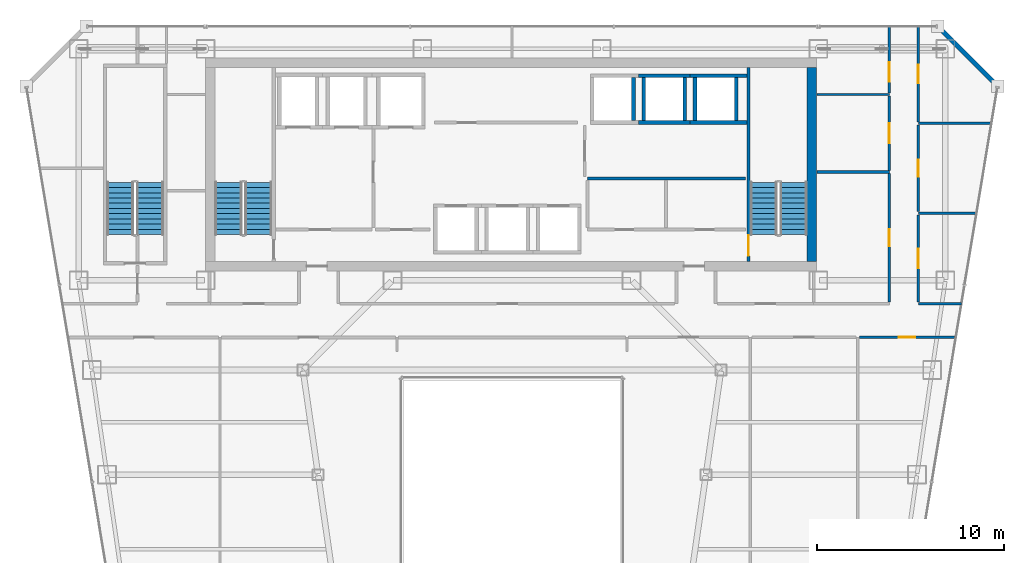
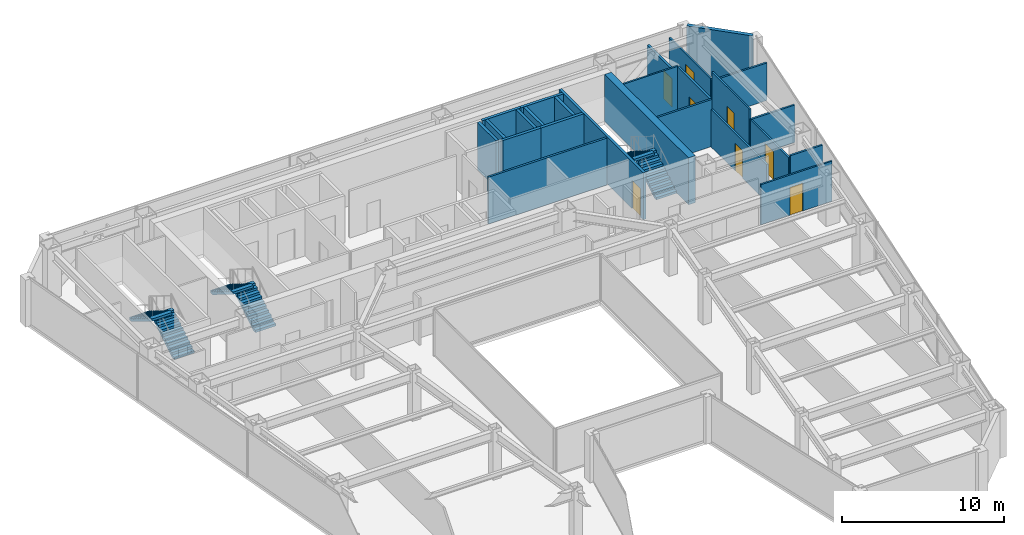
# One storey, part 33 of 36: 25 walls, 8 doors, 6 stair flights, 8 openings, 3 elements without a shape of their own.
"""IFC4 building model written with IfcOpenShell, lengths in metres."""

from ifc_helpers import new_model, si_unit, direction, frame, frame_2d, origin, place, context, subcontext, project, spatial, polyline, rectangle, outline, extrude, material, layer, layer_set, type_object, element, fill, aggregate, save


model = new_model("IFC4")

# Units and contexts
model_context = context("Model", 3, precision=1e-05, world=origin(), true_north=direction((0.0, 1.0)))
body_context = subcontext(model_context, "Body", "Model", "MODEL_VIEW")
ifc_project = project(units=[si_unit("LENGTHUNIT", "METRE"), si_unit("AREAUNIT", "SQUARE_METRE"), si_unit("VOLUMEUNIT", "CUBIC_METRE"), si_unit("PLANEANGLEUNIT", "RADIAN"), si_unit("MASSUNIT", "GRAM", prefix="KILO")], contexts=[model_context])

# Site, building, storey
site_placement = place(None, origin())
site = spatial("IfcSite", under=ifc_project, at=site_placement, CompositionType="ELEMENT")
building_placement = place(site_placement, origin())
building = spatial("IfcBuilding", under=site, at=building_placement, Name="Saevonmaru Cultural Tower", CompositionType="ELEMENT")
storey_placement = place(building_placement, frame((0.0, 0.0, 156.199951171875)))
storey = spatial("IfcBuildingStorey", under=building, at=storey_placement, Name="L34", CompositionType="ELEMENT", Elevation=156.199951171875)

# Walls
ifc_material_1 = material(Name="Concrete C60/75", Category="concrete")
ifc_layer_1 = layer(ifc_material_1, 0.5, Name="Concrete C60/75")
ifc_layer_set_1 = layer_set([ifc_layer_1], Name="Concrete C60/75")
wall_type_1 = type_object("IfcWallType", Name="WL-CORE-500", PredefinedType="SHEAR", material=ifc_layer_set_1)
wall_1_placement = place(storey_placement, frame((46.050048828125, 43.39990234375, 0.0), z_axis=(0.0, 0.0, 1.0), x_axis=(0.0, 1.0, 0.0)))
element("IfcWall", 1, at=wall_1_placement, inside=storey, type_object=wall_type_1, Name="L34 Tower RC core shear wall E", PredefinedType="SHEAR", context=body_context, shape_type="SweptSolid", body=[
    extrude(rectangle(XDim=10.400146484375, YDim=0.5, at=frame_2d((5.2001953125, 0.0))), origin(), (0.0, 0.0, 1.0), 3.550048828125),
])
ifc_material_2 = material(Name="Gypsum Fireboard Partition", Category="gypsum")
ifc_layer_2 = layer(ifc_material_2, 0.14990234375, Name="Gypsum Fireboard Partition")
ifc_layer_set_2 = layer_set([ifc_layer_2], Name="Gypsum Fireboard Partition")
wall_type_2 = type_object("IfcWallType", Name="WL-CORE-PART-150", PredefinedType="PARTITIONING", material=ifc_layer_set_2)
wall_2_placement = place(storey_placement, frame((34.050048828125, 47.85009765625, 0.0), z_axis=(0.0, 0.0, 1.0), x_axis=(1.0, 0.0, 0.0)))
element("IfcWall", 2, at=wall_2_placement, inside=storey, type_object=wall_type_2, Name="L34 Core Plant North Wall", PredefinedType="PARTITIONING", context=body_context, shape_type="SweptSolid", body=[
    extrude(rectangle(XDim=8.449951171875, YDim=0.14990234375, at=frame_2d((4.22509765625, 0.0))), origin(), (0.0, 0.0, 1.0), 3.550048828125),
])
ifc_material_3 = material(Name="Granite-Clad Precast Concrete C40/50", Category="masonry")
ifc_layer_3 = layer(ifc_material_3, 0.260009765625, Name="Granite-Clad Precast Concrete C40/50")
ifc_layer_set_3 = layer_set([ifc_layer_3], Name="Granite-Clad Precast Concrete C40/50")
wall_type_3 = type_object("IfcWallType", Name="WL-EXT-SPANDREL-260", PredefinedType="STANDARD", material=ifc_layer_set_3)
wall_3_placement = place(storey_placement, frame((55.886962890625, 52.9130859375, 0.0), z_axis=(0.0, 0.0, 1.0), x_axis=(-0.707106781187, 0.707106781187, 0.0)))
element("IfcWall", 3, at=wall_3_placement, inside=storey, type_object=wall_type_3, Name="L34 Chamfer Corner Spandrel Wall E9", PredefinedType="STANDARD", context=body_context, shape_type="SweptSolid", body=[
    extrude(rectangle(XDim=4.205810546875, YDim=0.260009765625, at=frame_2d((2.10302734375, 0.0))), origin(), (0.0, 0.0, 1.0), 3.550048828125),
])

# Wall, opening, door
ifc_layer_4 = layer(ifc_material_2, 0.14990234375, Name="Gypsum Fireboard Partition")
ifc_layer_set_4 = layer_set([ifc_layer_4], Name="Gypsum Fireboard Partition")
wall_type_4 = type_object("IfcWallType", Name="WL-PART-FIRE-150", PredefinedType="PARTITIONING", material=ifc_layer_set_4)
wall_4_placement = place(storey_placement, frame((50.199951171875, 48.2900390625, 0.0), z_axis=(0.0, 0.0, 1.0), x_axis=(0.0, 1.0, 0.0)))
wall_4 = element("IfcWall", 4, at=wall_4_placement, inside=storey, type_object=wall_type_4, Name="L34 Sky Observatory Gallery Corridor Wall", PredefinedType="PARTITIONING", context=body_context, shape_type="SweptSolid", body=[
    extrude(rectangle(XDim=3.97998046875, YDim=0.14990234375, at=frame_2d((1.989990234375, 0.0))), origin(), (0.0, 0.0, 1.0), 3.550048828125),
])
opening_1_placement = place(wall_4_placement, frame((1.465087890625, 0.0, 0.0)))
opening_1 = element("IfcOpeningElement", 5, at=opening_1_placement, cuts=wall_4, Name="Opening ID-1", PredefinedType="OPENING", context=body_context, shape_type="SweptSolid", body=[
    extrude(rectangle(XDim=1.050048828125, YDim=2.14990234375, at=frame_2d((0.52490234375, 1.074951171875))), frame((0.0, 0.0849609375, 0.0), z_axis=(0.0, -1.0, 0.0), x_axis=(1.0, 0.0, 0.0)), (0.0, 0.0, 1.0), 0.169921875),
])
ifc_material_4 = material(Name="Satin Bronze Anodised Aluminium", Category="aluminium")
door_type_1 = type_object("IfcDoorType", Name="DR-INT-1050", OperationType="SINGLE_SWING_LEFT", PredefinedType="DOOR", material=ifc_material_4)
door_1_placement = place(opening_1_placement, origin())
door_1 = element("IfcDoor", 6, at=door_1_placement, inside=storey, type_object=door_type_1, Name="L34 Sky Observatory Gallery Door", OperationType="SINGLE_SWING_LEFT", OverallHeight=2.14990234375, OverallWidth=1.050048828125, PredefinedType="DOOR", context=body_context, shape_type="SweptSolid", body=[
    extrude(rectangle(XDim=1.050048828125, YDim=2.14990234375, at=frame_2d((0.52490234375, 1.074951171875))), frame((0.0, 0.02490234375, 0.0), z_axis=(0.0, -1.0, 0.0), x_axis=(1.0, 0.0, 0.0)), (0.0, 0.0, 1.0), 0.050048828125),
])
fill(opening_1, door_1)

wall_5_placement = place(storey_placement, frame((50.199951171875, 52.429931640625, 0.0), z_axis=(0.0, 0.0, 1.0), x_axis=(0.0, 1.0, 0.0)))
wall_5 = element("IfcWall", 7, at=wall_5_placement, inside=storey, type_object=wall_type_4, Name="L34 Skyline Exhibition Gallery Corridor Wall", PredefinedType="PARTITIONING", context=body_context, shape_type="SweptSolid", body=[
    extrude(rectangle(XDim=3.565185546875, YDim=0.14990234375, at=frame_2d((1.78271484375, 0.0))), origin(), (0.0, 0.0, 1.0), 2.93505859375),
])
opening_2_placement = place(wall_5_placement, frame((0.596923828125, 0.0, 0.0)))
opening_2 = element("IfcOpeningElement", 8, at=opening_2_placement, cuts=wall_5, Name="Opening ID-1", PredefinedType="OPENING", context=body_context, shape_type="SweptSolid", body=[
    extrude(rectangle(XDim=1.050048828125, YDim=2.14990234375, at=frame_2d((0.52490234375, 1.074951171875))), frame((0.0, 0.0849609375, 0.0), z_axis=(0.0, -1.0, 0.0), x_axis=(1.0, 0.0, 0.0)), (0.0, 0.0, 1.0), 0.169921875),
])
door_2_placement = place(opening_2_placement, origin())
door_2 = element("IfcDoor", 9, at=door_2_placement, inside=storey, type_object=door_type_1, Name="L34 Skyline Exhibition Gallery Door", OperationType="SINGLE_SWING_RIGHT", OverallHeight=2.14990234375, OverallWidth=1.050048828125, PredefinedType="DOOR", context=body_context, shape_type="SweptSolid", body=[
    extrude(rectangle(XDim=1.050048828125, YDim=2.14990234375, at=frame_2d((0.52490234375, 1.074951171875))), frame((0.0, 0.02490234375, 0.0), z_axis=(0.0, -1.0, 0.0), x_axis=(1.0, 0.0, 0.0)), (0.0, 0.0, 1.0), 0.050048828125),
])
fill(opening_2, door_2)

# Wall
ifc_layer_5 = layer(ifc_material_2, 0.1201171875, Name="Gypsum Fireboard Partition")
ifc_layer_set_5 = layer_set([ifc_layer_5], Name="Gypsum Fireboard Partition")
wall_type_5 = type_object("IfcWallType", Name="WL-PART-GYP-120", PredefinedType="PARTITIONING", material=ifc_layer_set_5)
wall_6_placement = place(storey_placement, frame((46.320068359375, 52.35009765625, 0.0), z_axis=(0.0, 0.0, 1.0), x_axis=(1.0, 0.0, 0.0)))
element("IfcWall", 10, at=wall_6_placement, inside=storey, type_object=wall_type_5, Name="L34 North-East Panorama South Wall", PredefinedType="PARTITIONING", context=body_context, shape_type="SweptSolid", body=[
    extrude(rectangle(XDim=3.8798828125, YDim=0.1201171875, at=frame_2d((1.93994140625, 0.0))), origin(), (0.0, 0.0, 1.0), 3.550048828125),
])

# Wall, opening, door
wall_7_placement = place(storey_placement, frame((51.75, 41.237548828125, 0.0), z_axis=(0.0, 0.0, 1.0), x_axis=(0.0, 1.0, 0.0)))
wall_7 = element("IfcWall", 11, at=wall_7_placement, inside=storey, type_object=wall_type_5, Name="L34 Periodical Reading Room Corridor Wall", PredefinedType="PARTITIONING", context=body_context, shape_type="SweptSolid", body=[
    extrude(rectangle(XDim=4.675048828125, YDim=0.1201171875, at=frame_2d((2.33740234375, 0.0))), origin(), (0.0, 0.0, 1.0), 2.8349609375),
])
opening_3_placement = place(wall_7_placement, frame((1.81298828125, 0.0, 0.0)))
opening_3 = element("IfcOpeningElement", 12, at=opening_3_placement, cuts=wall_7, Name="Opening ID-1", PredefinedType="OPENING", context=body_context, shape_type="SweptSolid", body=[
    extrude(rectangle(XDim=1.050048828125, YDim=2.14990234375, at=frame_2d((0.52490234375, 1.074951171875))), frame((0.0, 0.070068359375, 0.0), z_axis=(0.0, -1.0, 0.0), x_axis=(1.0, 0.0, 0.0)), (0.0, 0.0, 1.0), 0.14013671875),
])
door_3_placement = place(opening_3_placement, origin())
door_3 = element("IfcDoor", 13, at=door_3_placement, inside=storey, type_object=door_type_1, Name="L34 Periodical Reading Room Door", OperationType="SINGLE_SWING_RIGHT", OverallHeight=2.14990234375, OverallWidth=1.050048828125, PredefinedType="DOOR", context=body_context, shape_type="SweptSolid", body=[
    extrude(rectangle(XDim=1.050048828125, YDim=2.14990234375, at=frame_2d((0.52490234375, 1.074951171875))), frame((0.0, 0.02490234375, 0.0), z_axis=(0.0, -1.0, 0.0), x_axis=(1.0, 0.0, 0.0)), (0.0, 0.0, 1.0), 0.050048828125),
])
fill(opening_3, door_3)

wall_8_placement = place(storey_placement, frame((51.75, 46.08740234375, 0.0), z_axis=(0.0, 0.0, 1.0), x_axis=(0.0, 1.0, 0.0)))
wall_8 = element("IfcWall", 14, at=wall_8_placement, inside=storey, type_object=wall_type_5, Name="L34 Editorial Fellows Office Corridor Wall", PredefinedType="PARTITIONING", context=body_context, shape_type="SweptSolid", body=[
    extrude(rectangle(XDim=4.625, YDim=0.1201171875, at=frame_2d((2.3125, 0.0))), origin(), (0.0, 0.0, 1.0), 3.550048828125),
])
opening_4_placement = place(wall_8_placement, frame((1.863037109375, 0.0, 0.0)))
opening_4 = element("IfcOpeningElement", 15, at=opening_4_placement, cuts=wall_8, Name="Opening ID-2", PredefinedType="OPENING", context=body_context, shape_type="SweptSolid", body=[
    extrude(rectangle(XDim=0.89990234375, YDim=2.10009765625, at=frame_2d((0.449951171875, 1.050048828125))), frame((0.0, 0.070068359375, 0.0), z_axis=(0.0, -1.0, 0.0), x_axis=(1.0, 0.0, 0.0)), (0.0, 0.0, 1.0), 0.14013671875),
])
ifc_material_5 = material(Name="Acoustic Stained Oak Timber", Category="wood")
door_type_2 = type_object("IfcDoorType", Name="DR-INT-900", OperationType="SINGLE_SWING_RIGHT", PredefinedType="DOOR", material=ifc_material_5)
door_4_placement = place(opening_4_placement, origin())
door_4 = element("IfcDoor", 16, at=door_4_placement, inside=storey, type_object=door_type_2, Name="L34 Editorial Fellows Office Door", OperationType="SINGLE_SWING_LEFT", OverallHeight=2.10009765625, OverallWidth=0.89990234375, PredefinedType="DOOR", context=body_context, shape_type="SweptSolid", body=[
    extrude(rectangle(XDim=0.89990234375, YDim=2.10009765625, at=frame_2d((0.449951171875, 1.050048828125))), frame((0.0, 0.02490234375, 0.0), z_axis=(0.0, -1.0, 0.0), x_axis=(1.0, 0.0, 0.0)), (0.0, 0.0, 1.0), 0.050048828125),
])
fill(opening_4, door_4)

wall_9_placement = place(storey_placement, frame((51.75, 50.887451171875, 0.0), z_axis=(0.0, 0.0, 1.0), x_axis=(0.0, 1.0, 0.0)))
wall_9 = element("IfcWall", 17, at=wall_9_placement, inside=storey, type_object=wall_type_5, Name="L34 Terrace Overlook Cafe Corridor Wall", PredefinedType="PARTITIONING", context=body_context, shape_type="SweptSolid", body=[
    extrude(rectangle(XDim=5.107666015625, YDim=0.1201171875, at=frame_2d((2.5537109375, 0.0))), origin(), (0.0, 0.0, 1.0), 2.93505859375),
])
opening_5_placement = place(wall_9_placement, frame((2.053955078125, 0.0, 0.0)))
opening_5 = element("IfcOpeningElement", 18, at=opening_5_placement, cuts=wall_9, Name="Opening ID-1B", PredefinedType="OPENING", context=body_context, shape_type="SweptSolid", body=[
    extrude(rectangle(XDim=1.0, YDim=2.14990234375, at=frame_2d((0.5, 1.074951171875))), frame((0.0, 0.070068359375, 0.0), z_axis=(0.0, -1.0, 0.0), x_axis=(1.0, 0.0, 0.0)), (0.0, 0.0, 1.0), 0.14013671875),
])
door_type_3 = type_object("IfcDoorType", Name="DR-INT-1000", OperationType="SINGLE_SWING_RIGHT", PredefinedType="DOOR", material=ifc_material_5)
door_5_placement = place(opening_5_placement, origin())
door_5 = element("IfcDoor", 19, at=door_5_placement, inside=storey, type_object=door_type_3, Name="L34 Terrace Overlook Cafe Door", OperationType="SINGLE_SWING_RIGHT", OverallHeight=2.14990234375, OverallWidth=1.0, PredefinedType="DOOR", context=body_context, shape_type="SweptSolid", body=[
    extrude(rectangle(XDim=1.0, YDim=2.14990234375, at=frame_2d((0.5, 1.074951171875))), frame((0.0, 0.02490234375, 0.0), z_axis=(0.0, -1.0, 0.0), x_axis=(1.0, 0.0, 0.0)), (0.0, 0.0, 1.0), 0.050048828125),
])
fill(opening_5, door_5)

wall_10_placement = place(storey_placement, frame((48.597412109375, 39.35009765625, 0.0), z_axis=(0.0, 0.0, 1.0), x_axis=(1.0, 0.0, 0.0)))
wall_10 = element("IfcWall", 20, at=wall_10_placement, inside=storey, type_object=wall_type_5, Name="L34 Editorial Fellows Office Corridor Wall", PredefinedType="PARTITIONING", context=body_context, shape_type="SweptSolid", body=[
    extrude(rectangle(XDim=5.09765625, YDim=0.1201171875, at=frame_2d((2.548828125, 0.0))), origin(), (0.0, 0.0, 1.0), 3.03515625),
])
opening_6_placement = place(wall_10_placement, frame((2.09912109375, 0.0, 0.0)))
opening_6 = element("IfcOpeningElement", 21, at=opening_6_placement, cuts=wall_10, Name="Opening ID-2", PredefinedType="OPENING", context=body_context, shape_type="SweptSolid", body=[
    extrude(rectangle(XDim=0.89990234375, YDim=2.10009765625, at=frame_2d((0.449951171875, 1.050048828125))), frame((0.0, 0.070068359375, 0.0), z_axis=(0.0, -1.0, 0.0), x_axis=(1.0, 0.0, 0.0)), (0.0, 0.0, 1.0), 0.14013671875),
])
door_6_placement = place(opening_6_placement, origin())
door_6 = element("IfcDoor", 22, at=door_6_placement, inside=storey, type_object=door_type_2, Name="L34 Editorial Fellows Office Door", OperationType="SINGLE_SWING_RIGHT", OverallHeight=2.10009765625, OverallWidth=0.89990234375, PredefinedType="DOOR", context=body_context, shape_type="SweptSolid", body=[
    extrude(rectangle(XDim=0.89990234375, YDim=2.10009765625, at=frame_2d((0.449951171875, 1.050048828125))), frame((0.0, 0.02490234375, 0.0), z_axis=(0.0, -1.0, 0.0), x_axis=(1.0, 0.0, 0.0)), (0.0, 0.0, 1.0), 0.050048828125),
])
fill(opening_6, door_6)

# Walls
ifc_layer_6 = layer(ifc_material_2, 0.135009765625, Name="Gypsum Fireboard Partition")
ifc_layer_set_6 = layer_set([ifc_layer_6], Name="Gypsum Fireboard Partition")
wall_type_6 = type_object("IfcWallType", Name="WL-PART-GYP-135", PredefinedType="PARTITIONING", material=ifc_layer_set_6)
wall_11_placement = place(storey_placement, frame((51.75, 41.14990234375, 0.0), z_axis=(0.0, 0.0, 1.0), x_axis=(1.0, 0.0, 0.0)))
element("IfcWall", 23, at=wall_11_placement, inside=storey, type_object=wall_type_6, Name="L34 NE Wing South Wall", PredefinedType="PARTITIONING", context=body_context, shape_type="SweptSolid", body=[
    extrude(rectangle(XDim=2.30810546875, YDim=0.135009765625, at=frame_2d((1.154052734375, 0.0))), origin(), (0.0, 0.0, 1.0), 3.03515625),
])
wall_12_placement = place(storey_placement, frame((51.75, 46.0, 0.0), z_axis=(0.0, 0.0, 1.0), x_axis=(1.0, 0.0, 0.0)))
element("IfcWall", 24, at=wall_12_placement, inside=storey, type_object=wall_type_6, Name="L34 NE Studio Divider 1", PredefinedType="PARTITIONING", context=body_context, shape_type="SweptSolid", body=[
    extrude(rectangle(XDim=3.114501953125, YDim=0.135009765625, at=frame_2d((1.55712890625, 0.0))), origin(), (0.0, 0.0, 1.0), 2.8349609375),
])
wall_13_placement = place(storey_placement, frame((51.75, 50.800048828125, 0.0), z_axis=(0.0, 0.0, 1.0), x_axis=(1.0, 0.0, 0.0)))
element("IfcWall", 25, at=wall_13_placement, inside=storey, type_object=wall_type_6, Name="L34 NE Studio Divider 2", PredefinedType="PARTITIONING", context=body_context, shape_type="SweptSolid", body=[
    extrude(rectangle(XDim=3.912353515625, YDim=0.135009765625, at=frame_2d((1.9560546875, 0.0))), origin(), (0.0, 0.0, 1.0), 2.8349609375),
])
ifc_layer_7 = layer(ifc_material_2, 0.139892578125, Name="Gypsum Fireboard Partition")
ifc_layer_set_7 = layer_set([ifc_layer_7], Name="Gypsum Fireboard Partition")
wall_type_7 = type_object("IfcWallType", Name="WL-PART-WET-140", PredefinedType="PARTITIONING", material=ifc_layer_set_7)
wall_14_placement = place(storey_placement, frame((46.320068359375, 48.199951171875, 0.0), z_axis=(0.0, 0.0, 1.0), x_axis=(1.0, 0.0, 0.0)))
element("IfcWall", 26, at=wall_14_placement, inside=storey, type_object=wall_type_7, Name="L34 Washroom North Wall", PredefinedType="PARTITIONING", context=body_context, shape_type="SweptSolid", body=[
    extrude(rectangle(XDim=3.8798828125, YDim=0.139892578125, at=frame_2d((1.93994140625, 0.0))), origin(), (0.0, 0.0, 1.0), 3.550048828125),
])

# Wall, opening, door
wall_15_placement = place(storey_placement, frame((50.199951171875, 41.239990234375, 0.0), z_axis=(0.0, 0.0, 1.0), x_axis=(0.0, 1.0, 0.0)))
wall_15 = element("IfcWall", 27, at=wall_15_placement, inside=storey, type_object=wall_type_7, Name="L34 Washroom Corridor Wall", PredefinedType="PARTITIONING", context=body_context, shape_type="SweptSolid", body=[
    extrude(rectangle(XDim=6.8701171875, YDim=0.139892578125, at=frame_2d((3.43505859375, 0.0))), origin(), (0.0, 0.0, 1.0), 2.8349609375),
])
opening_7_placement = place(wall_15_placement, frame((2.985107421875, 0.0, 0.0)))
opening_7 = element("IfcOpeningElement", 28, at=opening_7_placement, cuts=wall_15, Name="Opening ID-2", PredefinedType="OPENING", context=body_context, shape_type="SweptSolid", body=[
    extrude(rectangle(XDim=0.89990234375, YDim=2.10009765625, at=frame_2d((0.449951171875, 1.050048828125))), frame((0.0, 0.080078125, 0.0), z_axis=(0.0, -1.0, 0.0), x_axis=(1.0, 0.0, 0.0)), (0.0, 0.0, 1.0), 0.159912109375),
])
door_7_placement = place(opening_7_placement, origin())
door_7 = element("IfcDoor", 29, at=door_7_placement, inside=storey, type_object=door_type_2, Name="L34 Public Accessible Washrooms Door", OperationType="SINGLE_SWING_RIGHT", OverallHeight=2.10009765625, OverallWidth=0.89990234375, PredefinedType="DOOR", context=body_context, shape_type="SweptSolid", body=[
    extrude(rectangle(XDim=0.89990234375, YDim=2.10009765625, at=frame_2d((0.449951171875, 1.050048828125))), frame((0.0, 0.02490234375, 0.0), z_axis=(0.0, -1.0, 0.0), x_axis=(1.0, 0.0, 0.0)), (0.0, 0.0, 1.0), 0.050048828125),
])
fill(opening_7, door_7)

# Walls
ifc_material_6 = material(Name="Concrete C40/50", Category="concrete")
ifc_layer_8 = layer(ifc_material_6, 0.199951171875, Name="Concrete C40/50")
ifc_layer_set_8 = layer_set([ifc_layer_8], Name="Concrete C40/50")
wall_type_8 = type_object("IfcWallType", Name="WL-SHAFT-200", PredefinedType="SHEAR", material=ifc_layer_set_8)
wall_16_placement = place(storey_placement, frame((36.5, 50.949951171875, 0.0), z_axis=(0.0, 0.0, 1.0), x_axis=(0.0, 1.0, 0.0)))
element("IfcWall", 30, at=wall_16_placement, inside=storey, type_object=wall_type_8, Name="L34 Lift PL-H1 Hoistway Wall E", PredefinedType="SHEAR", context=body_context, shape_type="SweptSolid", body=[
    extrude(rectangle(XDim=2.300048828125, YDim=0.199951171875, at=frame_2d((1.14990234375, 0.0))), origin(), (0.0, 0.0, 1.0), 3.550048828125),
])
for number, where, z_axis, x_axis, name in (
    (31, (36.77490234375, 50.85009765625, 0.0), (0.0, 0.0, 1.0), (1.0, 0.0, 0.0), "L34 Lift PL-H2 Hoistway Wall S"),
    (32, (36.77490234375, 53.35009765625, 0.0), (0.0, 0.0, 1.0), (1.0, 0.0, 0.0), "L34 Lift PL-H2 Hoistway Wall N"),
):
    element("IfcWall", number, at=place(storey_placement, frame(where, z_axis=z_axis, x_axis=x_axis)), inside=storey, type_object=wall_type_8, Name=name, PredefinedType="SHEAR", context=body_context, shape_type="SweptSolid", body=[
        extrude(rectangle(XDim=2.75, YDim=0.199951171875, at=frame_2d((1.375, 0.0))), origin(), (0.0, 0.0, 1.0), 3.550048828125),
    ])
for number, where, z_axis, x_axis, name in (
    (33, (37.050048828125, 50.949951171875, 0.0), (0.0, 0.0, 1.0), (0.0, 1.0, 0.0), "L34 Lift PL-H2 Hoistway Wall W"),
    (34, (39.25, 50.949951171875, 0.0), (0.0, 0.0, 1.0), (0.0, 1.0, 0.0), "L34 Lift PL-H2 Hoistway Wall E"),
):
    element("IfcWall", number, at=place(storey_placement, frame(where, z_axis=z_axis, x_axis=x_axis)), inside=storey, type_object=wall_type_8, Name=name, PredefinedType="SHEAR", context=body_context, shape_type="SweptSolid", body=[
        extrude(rectangle(XDim=2.300048828125, YDim=0.199951171875, at=frame_2d((1.14990234375, 0.0))), origin(), (0.0, 0.0, 1.0), 3.550048828125),
    ])
for number, where, z_axis, x_axis, name in (
    (35, (39.52490234375, 50.85009765625, 0.0), (0.0, 0.0, 1.0), (1.0, 0.0, 0.0), "L34 Lift PL-H3 Hoistway Wall S"),
    (36, (39.52490234375, 53.35009765625, 0.0), (0.0, 0.0, 1.0), (1.0, 0.0, 0.0), "L34 Lift PL-H3 Hoistway Wall N"),
):
    element("IfcWall", number, at=place(storey_placement, frame(where, z_axis=z_axis, x_axis=x_axis)), inside=storey, type_object=wall_type_8, Name=name, PredefinedType="SHEAR", context=body_context, shape_type="SweptSolid", body=[
        extrude(rectangle(XDim=3.045166015625, YDim=0.199951171875, at=frame_2d((1.5224609375, 0.0))), origin(), (0.0, 0.0, 1.0), 3.550048828125),
    ])
for number, where, z_axis, x_axis, name in (
    (37, (39.800048828125, 50.949951171875, 0.0), (0.0, 0.0, 1.0), (0.0, 1.0, 0.0), "L34 Lift PL-H3 Hoistway Wall W"),
    (38, (42.0, 50.949951171875, 0.0), (0.0, 0.0, 1.0), (0.0, 1.0, 0.0), "L34 Lift PL-H3 Hoistway Wall E"),
):
    element("IfcWall", number, at=place(storey_placement, frame(where, z_axis=z_axis, x_axis=x_axis)), inside=storey, type_object=wall_type_8, Name=name, PredefinedType="SHEAR", context=body_context, shape_type="SweptSolid", body=[
        extrude(rectangle(XDim=2.300048828125, YDim=0.199951171875, at=frame_2d((1.14990234375, 0.0))), origin(), (0.0, 0.0, 1.0), 3.550048828125),
    ])

# Wall, opening, door
ifc_layer_9 = layer(ifc_material_6, 0.179931640625, Name="Concrete C40/50")
ifc_layer_set_9 = layer_set([ifc_layer_9], Name="Concrete C40/50")
wall_type_9 = type_object("IfcWallType", Name="WL-STSHAFT-180", PredefinedType="SHEAR", material=ifc_layer_set_9)
wall_17_placement = place(storey_placement, frame((42.659912109375, 53.800048828125, 0.0), z_axis=(0.0, 0.0, 1.0), x_axis=(0.0, -1.0, 0.0)))
wall_17 = element("IfcWall", 39, at=wall_17_placement, inside=storey, type_object=wall_type_9, Name="L34 Stair ST-2 Structural Shaft Wall 1", PredefinedType="SHEAR", context=body_context, shape_type="SweptSolid", body=[
    extrude(rectangle(XDim=10.400146484375, YDim=0.179931640625, at=frame_2d((5.2001953125, 0.0))), origin(), (0.0, 0.0, 1.0), 3.550048828125),
])
opening_8_placement = place(wall_17_placement, frame((8.989990234375, 0.0, 0.0)))
opening_8 = element("IfcOpeningElement", 40, at=opening_8_placement, cuts=wall_17, Name="Opening FD-2", PredefinedType="OPENING", context=body_context, shape_type="SweptSolid", body=[
    extrude(rectangle(XDim=1.10009765625, YDim=2.14990234375, at=frame_2d((0.550048828125, 1.074951171875))), frame((0.0, 0.10009765625, 0.0), z_axis=(0.0, -1.0, 0.0), x_axis=(1.0, 0.0, 0.0)), (0.0, 0.0, 1.0), 0.199951171875),
])
door_type_4 = type_object("IfcDoorType", Name="DR-FD60-1100", OperationType="SINGLE_SWING_LEFT", PredefinedType="DOOR", material=ifc_material_4)
door_8_placement = place(opening_8_placement, origin())
door_8 = element("IfcDoor", 41, at=door_8_placement, inside=storey, type_object=door_type_4, Name="L34 Protected Stair ST-2 Fire Door", OperationType="SINGLE_SWING_LEFT", OverallHeight=2.14990234375, OverallWidth=1.10009765625, PredefinedType="DOOR", context=body_context, shape_type="SweptSolid", body=[
    extrude(rectangle(XDim=1.10009765625, YDim=2.14990234375, at=frame_2d((0.550048828125, 1.074951171875))), frame((0.0, 0.02490234375, 0.0), z_axis=(0.0, -1.0, 0.0), x_axis=(1.0, 0.0, 0.0)), (0.0, 0.0, 1.0), 0.050048828125),
])
fill(opening_8, door_8)

# Stair, stair flights
stair_type = type_object("IfcStairType", Name="STR-DOGLEG-RC", PredefinedType="HALF_TURN_STAIR", material=ifc_material_6)
stair_1_placement = place(storey_placement, origin())
stair_1 = element("IfcStair", 42, at=stair_1_placement, inside=storey, type_object=stair_type, Name="L34 Protected exit stair ST-1", PredefinedType="HALF_TURN_STAIR")
ifc_material_7 = material(Name="Precast concrete C40/50", Category="concrete")
stair_flight_type = type_object("IfcStairFlightType", Name="STF-PRECAST-180", PredefinedType="STRAIGHT", material=ifc_material_7)
stair_flight_1_placement = place(storey_placement, frame((16.425048828125, 44.85009765625, 0.0), z_axis=(0.0, 0.0, 1.0), x_axis=(0.0, 1.0, 0.0)))
stair_flight_1 = element("IfcStairFlight", 43, at=stair_flight_1_placement, type_object=stair_flight_type, Name="ST-1-L34 flight 1", NumberOfRisers=11, NumberOfTreads=10, PredefinedType="STRAIGHT", RiserHeight=0.172727273, TreadLength=0.28, context=body_context, shape_type="SweptSolid", body=[
    extrude(outline(polyline([(0.0, 0.0), (0.0, 0.172607421875), (0.280029296875, 0.172607421875), (0.280029296875, 0.345458984375), (0.56005859375, 0.345458984375), (0.56005859375, 0.51806640625), (0.840087890625, 0.51806640625), (0.840087890625, 0.69091796875), (1.1201171875, 0.69091796875), (1.1201171875, 0.863525390625), (1.39990234375, 0.863525390625), (1.39990234375, 1.036376953125), (1.679931640625, 1.036376953125), (1.679931640625, 1.208984375), (1.9599609375, 1.208984375), (1.9599609375, 1.3818359375), (2.239990234375, 1.3818359375), (2.239990234375, 1.554443359375), (2.52001953125, 1.554443359375), (2.52001953125, 1.727294921875), (2.800048828125, 1.727294921875), (2.800048828125, 1.89990234375), (2.800048828125, 1.551025390625), (0.285400390625, 0.0), (0.0, 0.0)])), frame((0.0, 0.72509765625, 0.0), z_axis=(0.0, -1.0, 0.0), x_axis=(1.0, 0.0, 0.0)), (0.0, 0.0, 1.0), 1.449951171875),
])
stair_flight_2_placement = place(storey_placement, frame((14.824951171875, 47.64990234375, 1.900146484375), z_axis=(0.0, 0.0, 1.0), x_axis=(0.0, -1.0, 0.0)))
stair_flight_2 = element("IfcStairFlight", 44, at=stair_flight_2_placement, type_object=stair_flight_type, Name="ST-1-L34 flight 2", NumberOfRisers=11, NumberOfTreads=10, PredefinedType="STRAIGHT", RiserHeight=0.172727273, TreadLength=0.28, context=body_context, shape_type="SweptSolid", body=[
    extrude(outline(polyline([(0.0, 0.0), (0.0, 0.172607421875), (0.280029296875, 0.172607421875), (0.280029296875, 0.345458984375), (0.56005859375, 0.345458984375), (0.56005859375, 0.51806640625), (0.840087890625, 0.51806640625), (0.840087890625, 0.69091796875), (1.1201171875, 0.69091796875), (1.1201171875, 0.863525390625), (1.39990234375, 0.863525390625), (1.39990234375, 1.036376953125), (1.679931640625, 1.036376953125), (1.679931640625, 1.208984375), (1.9599609375, 1.208984375), (1.9599609375, 1.3818359375), (2.239990234375, 1.3818359375), (2.239990234375, 1.554443359375), (2.52001953125, 1.554443359375), (2.52001953125, 1.727294921875), (2.800048828125, 1.727294921875), (2.800048828125, 1.89990234375), (2.800048828125, 1.551025390625), (0.285400390625, 0.0), (0.0, 0.0)])), frame((0.0, 0.72509765625, 0.0), z_axis=(0.0, -1.0, 0.0), x_axis=(1.0, 0.0, 0.0)), (0.0, 0.0, 1.0), 1.449951171875),
])
aggregate(stair_1, [stair_flight_1, stair_flight_2])

stair_2_placement = place(storey_placement, origin())
stair_2 = element("IfcStair", 45, at=stair_2_placement, inside=storey, type_object=stair_type, Name="L34 Protected exit stair ST-2", PredefinedType="HALF_TURN_STAIR")
stair_flight_3_placement = place(storey_placement, frame((45.074951171875, 44.85009765625, 0.0), z_axis=(0.0, 0.0, 1.0), x_axis=(0.0, 1.0, 0.0)))
stair_flight_3 = element("IfcStairFlight", 46, at=stair_flight_3_placement, type_object=stair_flight_type, Name="ST-2-L34 flight 1", NumberOfRisers=11, NumberOfTreads=10, PredefinedType="STRAIGHT", RiserHeight=0.172727273, TreadLength=0.28, context=body_context, shape_type="SweptSolid", body=[
    extrude(outline(polyline([(0.0, 0.0), (0.0, 0.172607421875), (0.280029296875, 0.172607421875), (0.280029296875, 0.345458984375), (0.56005859375, 0.345458984375), (0.56005859375, 0.51806640625), (0.840087890625, 0.51806640625), (0.840087890625, 0.69091796875), (1.1201171875, 0.69091796875), (1.1201171875, 0.863525390625), (1.39990234375, 0.863525390625), (1.39990234375, 1.036376953125), (1.679931640625, 1.036376953125), (1.679931640625, 1.208984375), (1.9599609375, 1.208984375), (1.9599609375, 1.3818359375), (2.239990234375, 1.3818359375), (2.239990234375, 1.554443359375), (2.52001953125, 1.554443359375), (2.52001953125, 1.727294921875), (2.800048828125, 1.727294921875), (2.800048828125, 1.89990234375), (2.800048828125, 1.551025390625), (0.285400390625, 0.0), (0.0, 0.0)])), frame((0.0, 0.72509765625, 0.0), z_axis=(0.0, -1.0, 0.0), x_axis=(1.0, 0.0, 0.0)), (0.0, 0.0, 1.0), 1.449951171875),
])
stair_flight_4_placement = place(storey_placement, frame((43.47509765625, 47.64990234375, 1.900146484375), z_axis=(0.0, 0.0, 1.0), x_axis=(0.0, -1.0, 0.0)))
stair_flight_4 = element("IfcStairFlight", 47, at=stair_flight_4_placement, type_object=stair_flight_type, Name="ST-2-L34 flight 2", NumberOfRisers=11, NumberOfTreads=10, PredefinedType="STRAIGHT", RiserHeight=0.172727273, TreadLength=0.28, context=body_context, shape_type="SweptSolid", body=[
    extrude(outline(polyline([(0.0, 0.0), (0.0, 0.172607421875), (0.280029296875, 0.172607421875), (0.280029296875, 0.345458984375), (0.56005859375, 0.345458984375), (0.56005859375, 0.51806640625), (0.840087890625, 0.51806640625), (0.840087890625, 0.69091796875), (1.1201171875, 0.69091796875), (1.1201171875, 0.863525390625), (1.39990234375, 0.863525390625), (1.39990234375, 1.036376953125), (1.679931640625, 1.036376953125), (1.679931640625, 1.208984375), (1.9599609375, 1.208984375), (1.9599609375, 1.3818359375), (2.239990234375, 1.3818359375), (2.239990234375, 1.554443359375), (2.52001953125, 1.554443359375), (2.52001953125, 1.727294921875), (2.800048828125, 1.727294921875), (2.800048828125, 1.89990234375), (2.800048828125, 1.551025390625), (0.285400390625, 0.0), (0.0, 0.0)])), frame((0.0, 0.72509765625, 0.0), z_axis=(0.0, -1.0, 0.0), x_axis=(1.0, 0.0, 0.0)), (0.0, 0.0, 1.0), 1.449951171875),
])
aggregate(stair_2, [stair_flight_3, stair_flight_4])

stair_3_placement = place(storey_placement, origin())
stair_3 = element("IfcStair", 48, at=stair_3_placement, inside=storey, type_object=stair_type, Name="L34 Protected exit stair ST-3", PredefinedType="HALF_TURN_STAIR")
stair_flight_5_placement = place(storey_placement, frame((10.625, 44.85009765625, 0.0), z_axis=(0.0, 0.0, 1.0), x_axis=(0.0, 1.0, 0.0)))
stair_flight_5 = element("IfcStairFlight", 49, at=stair_flight_5_placement, type_object=stair_flight_type, Name="ST-3-L34 flight 1", NumberOfRisers=11, NumberOfTreads=10, PredefinedType="STRAIGHT", RiserHeight=0.172727273, TreadLength=0.28, context=body_context, shape_type="SweptSolid", body=[
    extrude(outline(polyline([(0.0, 0.0), (0.0, 0.172607421875), (0.280029296875, 0.172607421875), (0.280029296875, 0.345458984375), (0.56005859375, 0.345458984375), (0.56005859375, 0.51806640625), (0.840087890625, 0.51806640625), (0.840087890625, 0.69091796875), (1.1201171875, 0.69091796875), (1.1201171875, 0.863525390625), (1.39990234375, 0.863525390625), (1.39990234375, 1.036376953125), (1.679931640625, 1.036376953125), (1.679931640625, 1.208984375), (1.9599609375, 1.208984375), (1.9599609375, 1.3818359375), (2.239990234375, 1.3818359375), (2.239990234375, 1.554443359375), (2.52001953125, 1.554443359375), (2.52001953125, 1.727294921875), (2.800048828125, 1.727294921875), (2.800048828125, 1.89990234375), (2.800048828125, 1.551025390625), (0.285400390625, 0.0), (0.0, 0.0)])), frame((0.0, 0.72509765625, 0.0), z_axis=(0.0, -1.0, 0.0), x_axis=(1.0, 0.0, 0.0)), (0.0, 0.0, 1.0), 1.449951171875),
])
stair_flight_6_placement = place(storey_placement, frame((9.02490234375, 47.64990234375, 1.900146484375), z_axis=(0.0, 0.0, 1.0), x_axis=(0.0, -1.0, 0.0)))
stair_flight_6 = element("IfcStairFlight", 50, at=stair_flight_6_placement, type_object=stair_flight_type, Name="ST-3-L34 flight 2", NumberOfRisers=11, NumberOfTreads=10, PredefinedType="STRAIGHT", RiserHeight=0.172727273, TreadLength=0.28, context=body_context, shape_type="SweptSolid", body=[
    extrude(outline(polyline([(0.0, 0.0), (0.0, 0.172607421875), (0.280029296875, 0.172607421875), (0.280029296875, 0.345458984375), (0.56005859375, 0.345458984375), (0.56005859375, 0.51806640625), (0.840087890625, 0.51806640625), (0.840087890625, 0.69091796875), (1.1201171875, 0.69091796875), (1.1201171875, 0.863525390625), (1.39990234375, 0.863525390625), (1.39990234375, 1.036376953125), (1.679931640625, 1.036376953125), (1.679931640625, 1.208984375), (1.9599609375, 1.208984375), (1.9599609375, 1.3818359375), (2.239990234375, 1.3818359375), (2.239990234375, 1.554443359375), (2.52001953125, 1.554443359375), (2.52001953125, 1.727294921875), (2.800048828125, 1.727294921875), (2.800048828125, 1.89990234375), (2.800048828125, 1.551025390625), (0.285400390625, 0.0), (0.0, 0.0)])), frame((0.0, 0.72509765625, 0.0), z_axis=(0.0, -1.0, 0.0), x_axis=(1.0, 0.0, 0.0)), (0.0, 0.0, 1.0), 1.449951171875),
])
aggregate(stair_3, [stair_flight_5, stair_flight_6])

save(model, "model.ifc")
